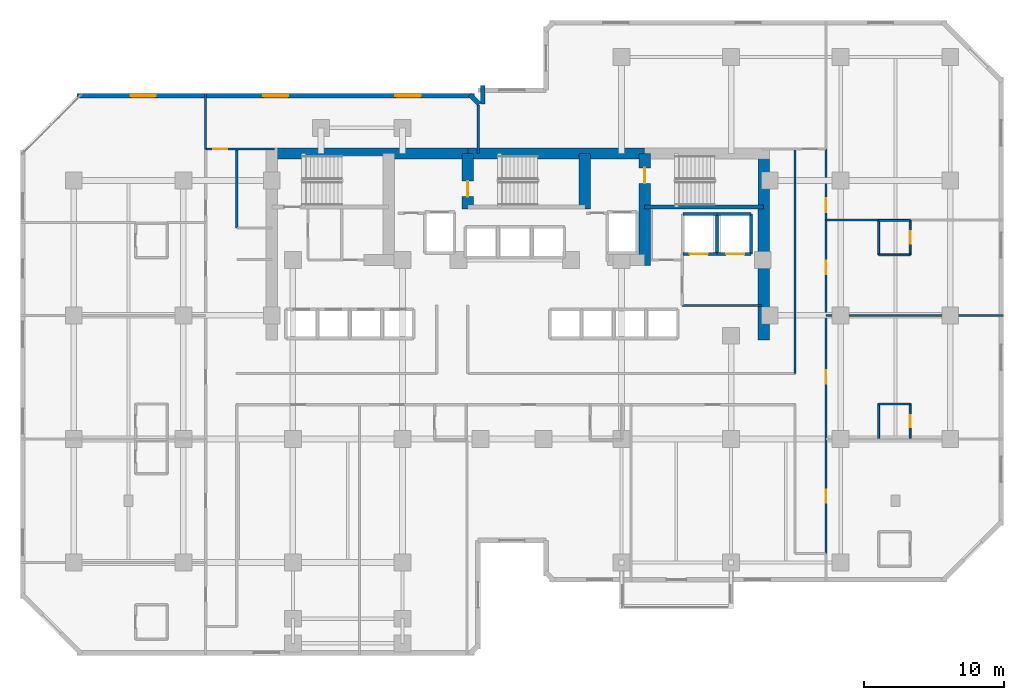
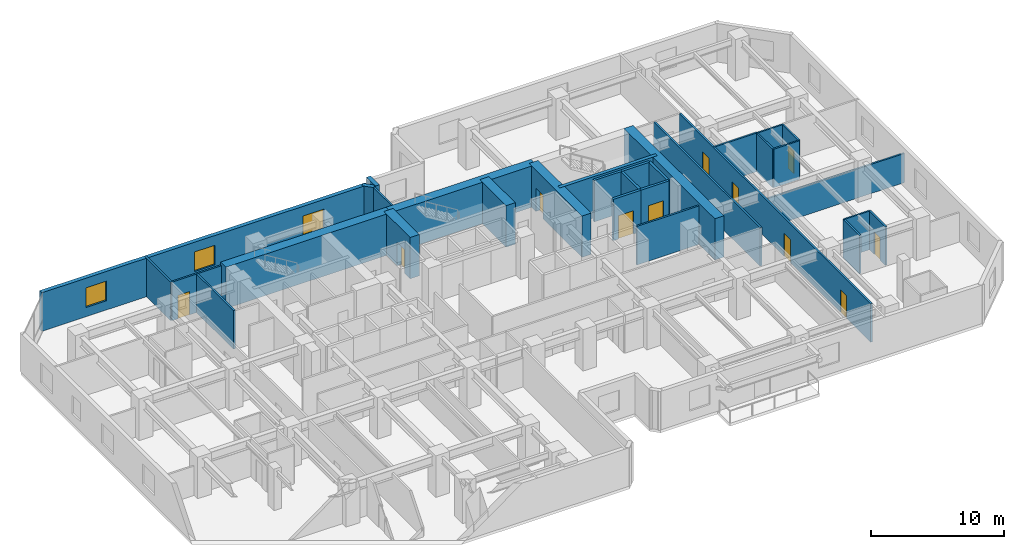
# One storey, part 8 of 11: 32 walls, 11 doors, 3 windows, 14 openings.
"""IFC4 building model written with IfcOpenShell, lengths in metres."""

from ifc_helpers import new_model, si_unit, direction, frame, frame_2d, origin, place, context, subcontext, project, spatial, rectangle, extrude, material, layer, layer_set, type_object, element, fill, save


model = new_model("IFC4")

# Units and contexts
model_context = context("Model", 3, precision=1e-05, world=origin(), true_north=direction((0.0, 1.0)))
body_context = subcontext(model_context, "Body", "Model", "MODEL_VIEW")
ifc_project = project(units=[si_unit("LENGTHUNIT", "METRE"), si_unit("AREAUNIT", "SQUARE_METRE"), si_unit("VOLUMEUNIT", "CUBIC_METRE"), si_unit("PLANEANGLEUNIT", "RADIAN"), si_unit("MASSUNIT", "GRAM", prefix="KILO")], contexts=[model_context])

# Site, building, storey
site_placement = place(None, origin())
site = spatial("IfcSite", under=ifc_project, at=site_placement, CompositionType="ELEMENT")
building_placement = place(site_placement, origin())
building = spatial("IfcBuilding", under=site, at=building_placement, Name="Kestravale Grand Hotel", CompositionType="ELEMENT")
storey_placement = place(building_placement, frame((0.0, 0.0, 114.60009765625)))
storey = spatial("IfcBuildingStorey", under=building, at=storey_placement, Name="L28", CompositionType="ELEMENT", Elevation=114.60009765625)

# Walls
ifc_material_1 = material(Name="Concrete f'c 60 MPa", Category="concrete")
ifc_layer_1 = layer(ifc_material_1, 0.800048828125)
ifc_layer_set_1 = layer_set([ifc_layer_1], Name="EW-CORE-800")
wall_type_1 = type_object("IfcWallType", Name="EW-CORE-800", PredefinedType="SHEAR", material=ifc_layer_set_1)
wall_1_placement = place(storey_placement, frame((21.5, 40.320068359375, 0.0), z_axis=(0.0, 0.0, 1.0), x_axis=(1.0, 0.0, 0.0)))
element("IfcWall", 1, at=wall_1_placement, inside=storey, type_object=wall_type_1, Name="L28 core shear wall N1", PredefinedType="SHEAR", context=body_context, shape_type="SweptSolid", body=[
    extrude(rectangle(XDim=14.35009765625, YDim=0.800048828125, at=frame_2d((7.175048828125, 0.0))), origin(), (0.0, 0.0, 1.0), 3.7998046875),
])
wall_2_placement = place(storey_placement, frame((35.85009765625, 40.320068359375, 0.0), z_axis=(0.0, 0.0, 1.0), x_axis=(1.0, 0.0, 0.0)))
element("IfcWall", 2, at=wall_2_placement, inside=storey, type_object=wall_type_1, Name="L28 core shear wall N2", PredefinedType="SHEAR", context=body_context, shape_type="SweptSolid", body=[
    extrude(rectangle(XDim=12.599853515625, YDim=0.800048828125, at=frame_2d((6.2998046875, 0.0))), origin(), (0.0, 0.0, 1.0), 3.7998046875),
])
wall_3_placement = place(storey_placement, frame((56.919921875, 27.050048828125, 0.0), z_axis=(0.0, 0.0, 1.0), x_axis=(0.0, 1.0, 0.0)))
element("IfcWall", 3, at=wall_3_placement, inside=storey, type_object=wall_type_1, Name="L28 core shear wall E1", PredefinedType="SHEAR", context=body_context, shape_type="SweptSolid", body=[
    extrude(rectangle(XDim=13.669921875, YDim=0.800048828125, at=frame_2d((6.8349609375, 0.0))), origin(), (0.0, 0.0, 1.0), 3.7998046875),
])

# Wall, opening, door
wall_4_placement = place(storey_placement, frame((35.85009765625, 36.3701171875, 0.0), z_axis=(0.0, 0.0, 1.0), x_axis=(0.0, 1.0, 0.0)))
wall_4 = element("IfcWall", 4, at=wall_4_placement, inside=storey, type_object=wall_type_1, Name="L28 core shear wall X2", PredefinedType="SHEAR", context=body_context, shape_type="SweptSolid", body=[
    extrude(rectangle(XDim=3.949951171875, YDim=0.800048828125, at=frame_2d((1.97509765625, 0.0))), origin(), (0.0, 0.0, 1.0), 3.7998046875),
])
opening_1_placement = place(wall_4_placement, frame((0.8798828125, 0.0, 0.0)))
opening_1 = element("IfcOpeningElement", 5, at=opening_1_placement, cuts=wall_4, Name="Opening D-ST-1100", PredefinedType="OPENING", context=body_context, shape_type="SweptSolid", body=[
    extrude(rectangle(XDim=1.10009765625, YDim=2.14990234375, at=frame_2d((0.550048828125, 1.074951171875))), frame((0.0, 0.409912109375, 0.0), z_axis=(0.0, -1.0, 0.0), x_axis=(1.0, 0.0, 0.0)), (0.0, 0.0, 1.0), 0.820068359375),
])
ifc_material_2 = material(Name="Galvanised 90-minute fire-rated steel stair door", Category="steel")
door_type_1 = type_object("IfcDoorType", Name="D-ST-1100", OperationType="NOTDEFINED", PredefinedType="DOOR", material=ifc_material_2)
door_1_placement = place(opening_1_placement, origin())
door_1 = element("IfcDoor", 6, at=door_1_placement, inside=storey, type_object=door_type_1, Name="L28 Stair ST-2 FSAE fire door", OperationType="SINGLE_SWING_RIGHT", OverallHeight=2.14990234375, OverallWidth=1.10009765625, PredefinedType="DOOR", context=body_context, shape_type="SweptSolid", body=[
    extrude(rectangle(XDim=1.10009765625, YDim=2.14990234375, at=frame_2d((0.550048828125, 1.074951171875))), frame((0.0, 0.02490234375, 0.0), z_axis=(0.0, -1.0, 0.0), x_axis=(1.0, 0.0, 0.0)), (0.0, 0.0, 1.0), 0.050048828125),
])
fill(opening_1, door_1)

# Wall
wall_5_placement = place(storey_placement, frame((44.179931640625, 36.3701171875, 0.0), z_axis=(0.0, 0.0, 1.0), x_axis=(0.0, 1.0, 0.0)))
element("IfcWall", 7, at=wall_5_placement, inside=storey, type_object=wall_type_1, Name="L28 core shear wall X3", PredefinedType="SHEAR", context=body_context, shape_type="SweptSolid", body=[
    extrude(rectangle(XDim=3.949951171875, YDim=0.800048828125, at=frame_2d((1.97509765625, 0.0))), origin(), (0.0, 0.0, 1.0), 3.7998046875),
])

# Wall, opening, door
wall_6_placement = place(storey_placement, frame((48.449951171875, 32.35009765625, 0.0), z_axis=(0.0, 0.0, 1.0), x_axis=(0.0, 1.0, 0.0)))
wall_6 = element("IfcWall", 8, at=wall_6_placement, inside=storey, type_object=wall_type_1, Name="L28 core shear wall X4", PredefinedType="SHEAR", context=body_context, shape_type="SweptSolid", body=[
    extrude(rectangle(XDim=7.969970703125, YDim=0.800048828125, at=frame_2d((3.98486328125, 0.0))), origin(), (0.0, 0.0, 1.0), 3.7998046875),
])
opening_2_placement = place(wall_6_placement, frame((5.85009765625, 0.0, 0.0)))
opening_2 = element("IfcOpeningElement", 9, at=opening_2_placement, cuts=wall_6, Name="Opening D-ST-1100", PredefinedType="OPENING", context=body_context, shape_type="SweptSolid", body=[
    extrude(rectangle(XDim=1.10009765625, YDim=2.14990234375, at=frame_2d((0.550048828125, 1.074951171875))), frame((0.0, 0.409912109375, 0.0), z_axis=(0.0, -1.0, 0.0), x_axis=(1.0, 0.0, 0.0)), (0.0, 0.0, 1.0), 0.820068359375),
])
door_2_placement = place(opening_2_placement, origin())
door_2 = element("IfcDoor", 10, at=door_2_placement, inside=storey, type_object=door_type_1, Name="L28 Stair ST-3 FSAE fire door", OperationType="SINGLE_SWING_RIGHT", OverallHeight=2.14990234375, OverallWidth=1.10009765625, PredefinedType="DOOR", context=body_context, shape_type="SweptSolid", body=[
    extrude(rectangle(XDim=1.10009765625, YDim=2.14990234375, at=frame_2d((0.550048828125, 1.074951171875))), frame((0.0, 0.02490234375, 0.0), z_axis=(0.0, -1.0, 0.0), x_axis=(1.0, 0.0, 0.0)), (0.0, 0.0, 1.0), 0.050048828125),
])
fill(opening_2, door_2)

# Walls
ifc_material_3 = material(Name="Precast concrete f'c 45 MPa", Category="concrete")
ifc_layer_2 = layer(ifc_material_3, 0.340087890625)
ifc_layer_set_2 = layer_set([ifc_layer_2], Name="EW-PREC-340")
wall_type_2 = type_object("IfcWallType", Name="EW-PREC-340", PredefinedType="SOLIDWALL", material=ifc_layer_set_2)
wall_7_placement = place(storey_placement, frame((36.919921875, 45.169921875, 0.0), z_axis=(0.0, 0.0, 1.0), x_axis=(0.0, -1.0, 0.0)))
element("IfcWall", 11, at=wall_7_placement, inside=storey, type_object=wall_type_2, Name="L28 fluted precast facade wall 15", PredefinedType="SOLIDWALL", context=body_context, shape_type="SweptSolid", body=[
    extrude(rectangle(XDim=1.33984375, YDim=0.340087890625, at=frame_2d((0.669921875, 0.0))), origin(), (0.0, 0.0, 1.0), 3.539794921875),
])
wall_8_placement = place(storey_placement, frame((36.658203125, 43.8515625, 0.0), z_axis=(0.0, 0.0, 1.0), x_axis=(-0.707238225886, 0.706975312048, 0.0)))
element("IfcWall", 12, at=wall_8_placement, inside=storey, type_object=wall_type_2, Name="L28 fluted precast facade wall 16", PredefinedType="SOLIDWALL", context=body_context, shape_type="SweptSolid", body=[
    extrude(rectangle(XDim=0.9287109375, YDim=0.340087890625, at=frame_2d((0.46435546875, 0.0))), origin(), (0.0, 0.0, 1.0), 3.539794921875),
])

# Wall, openings, windows
wall_9_placement = place(storey_placement, frame((36.320068359375, 44.429931640625, 0.0), z_axis=(0.0, 0.0, 1.0), x_axis=(-1.0, 0.0, 0.0)))
wall_9 = element("IfcWall", 13, at=wall_9_placement, inside=storey, type_object=wall_type_2, Name="L28 fluted precast facade wall 17", PredefinedType="SOLIDWALL", context=body_context, shape_type="SweptSolid", body=[
    extrude(rectangle(XDim=28.2900390625, YDim=0.340087890625, at=frame_2d((14.14501953125, 0.0))), origin(), (0.0, 0.0, 1.0), 3.539794921875),
])
opening_3_placement = place(wall_9_placement, frame((3.81494140625, 0.0, 0.85009765625)))
opening_3 = element("IfcOpeningElement", 14, at=opening_3_placement, cuts=wall_9, Name="Opening W-GUEST-1800", PredefinedType="OPENING", context=body_context, shape_type="SweptSolid", body=[
    extrude(rectangle(XDim=1.800048828125, YDim=1.800048828125, at=frame_2d((0.89990234375, 0.89990234375))), frame((0.0, 0.179931640625, 0.0), z_axis=(0.0, -1.0, 0.0), x_axis=(1.0, 0.0, 0.0)), (0.0, 0.0, 1.0), 0.360107421875),
])
opening_4_placement = place(wall_9_placement, frame((13.2451171875, 0.0, 0.85009765625)))
opening_4 = element("IfcOpeningElement", 15, at=opening_4_placement, cuts=wall_9, Name="Opening W-GUEST-1800", PredefinedType="OPENING", context=body_context, shape_type="SweptSolid", body=[
    extrude(rectangle(XDim=1.800048828125, YDim=1.800048828125, at=frame_2d((0.89990234375, 0.89990234375))), frame((0.0, 0.179931640625, 0.0), z_axis=(0.0, -1.0, 0.0), x_axis=(1.0, 0.0, 0.0)), (0.0, 0.0, 1.0), 0.360107421875),
])
opening_5_placement = place(wall_9_placement, frame((22.675048828125, 0.0, 0.85009765625)))
opening_5 = element("IfcOpeningElement", 16, at=opening_5_placement, cuts=wall_9, Name="Opening W-GUEST-1800", PredefinedType="OPENING", context=body_context, shape_type="SweptSolid", body=[
    extrude(rectangle(XDim=1.800048828125, YDim=1.800048828125, at=frame_2d((0.89990234375, 0.89990234375))), frame((0.0, 0.179931640625, 0.0), z_axis=(0.0, -1.0, 0.0), x_axis=(1.0, 0.0, 0.0)), (0.0, 0.0, 1.0), 0.360107421875),
])
ifc_material_4 = material(Name="Insulated low-E double glazing in aluminium frame", Category="aluminium")
window_type = type_object("IfcWindowType", Name="W-GUEST-1800", PartitioningType="DOUBLE_PANEL_VERTICAL", PredefinedType="WINDOW", material=ifc_material_4)
window_1_placement = place(opening_3_placement, origin())
window_1 = element("IfcWindow", 17, at=window_1_placement, inside=storey, type_object=window_type, Name="L28 exterior window 17.1", OverallHeight=1.800048828125, OverallWidth=1.800048828125, PartitioningType="SINGLE_PANEL", PredefinedType="WINDOW", context=body_context, shape_type="SweptSolid", body=[
    extrude(rectangle(XDim=1.800048828125, YDim=1.800048828125, at=frame_2d((0.89990234375, 0.89990234375))), frame((0.0, 0.030029296875, 0.0), z_axis=(0.0, -1.0, 0.0), x_axis=(1.0, 0.0, 0.0)), (0.0, 0.0, 1.0), 0.06005859375),
])
fill(opening_3, window_1)
window_2_placement = place(opening_4_placement, origin())
window_2 = element("IfcWindow", 18, at=window_2_placement, inside=storey, type_object=window_type, Name="L28 exterior window 17.2", OverallHeight=1.800048828125, OverallWidth=1.800048828125, PartitioningType="SINGLE_PANEL", PredefinedType="WINDOW", context=body_context, shape_type="SweptSolid", body=[
    extrude(rectangle(XDim=1.800048828125, YDim=1.800048828125, at=frame_2d((0.89990234375, 0.89990234375))), frame((0.0, 0.030029296875, 0.0), z_axis=(0.0, -1.0, 0.0), x_axis=(1.0, 0.0, 0.0)), (0.0, 0.0, 1.0), 0.06005859375),
])
fill(opening_4, window_2)
window_3_placement = place(opening_5_placement, origin())
window_3 = element("IfcWindow", 19, at=window_3_placement, inside=storey, type_object=window_type, Name="L28 exterior window 17.3", OverallHeight=1.800048828125, OverallWidth=1.800048828125, PartitioningType="SINGLE_PANEL", PredefinedType="WINDOW", context=body_context, shape_type="SweptSolid", body=[
    extrude(rectangle(XDim=1.800048828125, YDim=1.800048828125, at=frame_2d((0.89990234375, 0.89990234375))), frame((0.0, 0.030029296875, 0.0), z_axis=(0.0, -1.0, 0.0), x_axis=(1.0, 0.0, 0.0)), (0.0, 0.0, 1.0), 0.06005859375),
])
fill(opening_5, window_3)

# Walls
ifc_material_5 = material(Name="Concrete f'c 45 MPa", Category="concrete")
ifc_layer_3 = layer(ifc_material_5, 0.300048828125)
ifc_layer_set_3 = layer_set([ifc_layer_3], Name="EW-STAIR-300")
wall_type_3 = type_object("IfcWallType", Name="EW-STAIR-300", PredefinedType="SHEAR", material=ifc_layer_set_3)
wall_10_placement = place(storey_placement, frame((48.449951171875, 36.52001953125, 0.0), z_axis=(0.0, 0.0, 1.0), x_axis=(1.0, 0.0, 0.0)))
element("IfcWall", 20, at=wall_10_placement, inside=storey, type_object=wall_type_3, Name="L28 stair enclosure shear wall SST3", PredefinedType="SHEAR", context=body_context, shape_type="SweptSolid", body=[
    extrude(rectangle(XDim=8.469970703125, YDim=0.300048828125, at=frame_2d((4.23486328125, 0.0))), origin(), (0.0, 0.0, 1.0), 3.7998046875),
])
ifc_material_6 = material(Name="Acoustic fire-rated gypsum board partition", Category="other")
ifc_layer_4 = layer(ifc_material_6, 0.159912109375)
ifc_layer_set_4 = layer_set([ifc_layer_4], Name="IW-CORR-160")
wall_type_4 = type_object("IfcWallType", Name="IW-CORR-160", PredefinedType="PARTITIONING", material=ifc_layer_set_4)
for number, where, z_axis, x_axis, name in (
    (21, (51.1201171875, 29.5, 0.0), (0.0, 0.0, 1.0), (1.0, 0.0, 0.0), "L28 service lift lobby wall"),
    (22, (19.409912109375, 35.02001953125, 0.0), (0.0, 0.0, 1.0), (0.0, 1.0, 0.0), "W-L28-SW-EN"),
):
    element("IfcWall", number, at=place(storey_placement, frame(where, z_axis=z_axis, x_axis=x_axis)), inside=storey, type_object=wall_type_4, Name=name, PredefinedType="PARTITIONING", context=body_context, shape_type="SweptSolid", body=[
        extrude(rectangle(XDim=5.6298828125, YDim=0.159912109375, at=frame_2d((2.81494140625, 0.0))), origin(), (0.0, 0.0, 1.0), 3.539794921875),
    ])

# Wall, openings, doors
wall_11_placement = place(storey_placement, frame((61.360107421875, 11.85009765625, 0.0), z_axis=(0.0, 0.0, 1.0), x_axis=(0.0, 1.0, 0.0)))
wall_11 = element("IfcWall", 23, at=wall_11_placement, inside=storey, type_object=wall_type_4, Name="W-L28-SE-E", PredefinedType="PARTITIONING", context=body_context, shape_type="SweptSolid", body=[
    extrude(rectangle(XDim=28.7998046875, YDim=0.159912109375, at=frame_2d((14.39990234375, 0.0))), origin(), (0.0, 0.0, 1.0), 3.539794921875),
])
opening_6_placement = place(wall_11_placement, frame((3.60009765625, 0.0, 0.0)))
opening_6 = element("IfcOpeningElement", 24, at=opening_6_placement, cuts=wall_11, Name="Opening D-GUEST-950", PredefinedType="OPENING", context=body_context, shape_type="SweptSolid", body=[
    extrude(rectangle(XDim=0.949951171875, YDim=2.10009765625, at=frame_2d((0.47509765625, 1.050048828125))), frame((0.0, 0.08984375, 0.0), z_axis=(0.0, -1.0, 0.0), x_axis=(1.0, 0.0, 0.0)), (0.0, 0.0, 1.0), 0.179931640625),
])
opening_7_placement = place(wall_11_placement, frame((12.074951171875, 0.0, 0.0)))
opening_7 = element("IfcOpeningElement", 25, at=opening_7_placement, cuts=wall_11, Name="Opening D-GUEST-950", PredefinedType="OPENING", context=body_context, shape_type="SweptSolid", body=[
    extrude(rectangle(XDim=0.949951171875, YDim=2.10009765625, at=frame_2d((0.47509765625, 1.050048828125))), frame((0.0, 0.08984375, 0.0), z_axis=(0.0, -1.0, 0.0), x_axis=(1.0, 0.0, 0.0)), (0.0, 0.0, 1.0), 0.179931640625),
])
opening_8_placement = place(wall_11_placement, frame((19.875, 0.0, 0.0)))
opening_8 = element("IfcOpeningElement", 26, at=opening_8_placement, cuts=wall_11, Name="Opening D-GUEST-950", PredefinedType="OPENING", context=body_context, shape_type="SweptSolid", body=[
    extrude(rectangle(XDim=0.949951171875, YDim=2.10009765625, at=frame_2d((0.47509765625, 1.050048828125))), frame((0.0, 0.08984375, 0.0), z_axis=(0.0, -1.0, 0.0), x_axis=(1.0, 0.0, 0.0)), (0.0, 0.0, 1.0), 0.179931640625),
])
opening_9_placement = place(wall_11_placement, frame((24.300048828125, 0.0, 0.0)))
opening_9 = element("IfcOpeningElement", 27, at=opening_9_placement, cuts=wall_11, Name="Opening D-GUEST-1000", PredefinedType="OPENING", context=body_context, shape_type="SweptSolid", body=[
    extrude(rectangle(XDim=1.0, YDim=2.14990234375, at=frame_2d((0.5, 1.074951171875))), frame((0.0, 0.08984375, 0.0), z_axis=(0.0, -1.0, 0.0), x_axis=(1.0, 0.0, 0.0)), (0.0, 0.0, 1.0), 0.179931640625),
])
ifc_material_7 = material(Name="Accessible walnut veneer hotel entrance fire door", Category="wood")
door_type_2 = type_object("IfcDoorType", Name="D-GUEST-1000", OperationType="NOTDEFINED", PredefinedType="DOOR", material=ifc_material_7)
door_3_placement = place(opening_9_placement, origin())
door_3 = element("IfcDoor", 28, at=door_3_placement, inside=storey, type_object=door_type_2, Name="D-L28-AMEW", OperationType="SINGLE_SWING_RIGHT", OverallHeight=2.14990234375, OverallWidth=1.0, PredefinedType="DOOR", context=body_context, shape_type="SweptSolid", body=[
    extrude(rectangle(XDim=1.0, YDim=2.14990234375, at=frame_2d((0.5, 1.074951171875))), frame((0.0, 0.02490234375, 0.0), z_axis=(0.0, -1.0, 0.0), x_axis=(1.0, 0.0, 0.0)), (0.0, 0.0, 1.0), 0.050048828125),
])
fill(opening_9, door_3)
ifc_material_8 = material(Name="Walnut veneer hotel guestroom entrance fire door", Category="wood")
door_type_3 = type_object("IfcDoorType", Name="D-GUEST-950", OperationType="NOTDEFINED", PredefinedType="DOOR", material=ifc_material_8)
door_4_placement = place(opening_6_placement, origin())
door_4 = element("IfcDoor", 29, at=door_4_placement, inside=storey, type_object=door_type_3, Name="D-L28-U07-ENT", OperationType="SINGLE_SWING_LEFT", OverallHeight=2.10009765625, OverallWidth=0.949951171875, PredefinedType="DOOR", context=body_context, shape_type="SweptSolid", body=[
    extrude(rectangle(XDim=0.949951171875, YDim=2.10009765625, at=frame_2d((0.47509765625, 1.050048828125))), frame((0.0, 0.02490234375, 0.0), z_axis=(0.0, -1.0, 0.0), x_axis=(1.0, 0.0, 0.0)), (0.0, 0.0, 1.0), 0.050048828125),
])
fill(opening_6, door_4)
door_5_placement = place(opening_7_placement, origin())
door_5 = element("IfcDoor", 30, at=door_5_placement, inside=storey, type_object=door_type_3, Name="D-L28-U08-ENT", OperationType="SINGLE_SWING_LEFT", OverallHeight=2.10009765625, OverallWidth=0.949951171875, PredefinedType="DOOR", context=body_context, shape_type="SweptSolid", body=[
    extrude(rectangle(XDim=0.949951171875, YDim=2.10009765625, at=frame_2d((0.47509765625, 1.050048828125))), frame((0.0, 0.02490234375, 0.0), z_axis=(0.0, -1.0, 0.0), x_axis=(1.0, 0.0, 0.0)), (0.0, 0.0, 1.0), 0.050048828125),
])
fill(opening_7, door_5)
door_6_placement = place(opening_8_placement, origin())
door_6 = element("IfcDoor", 31, at=door_6_placement, inside=storey, type_object=door_type_3, Name="D-L28-U09-ENT", OperationType="SINGLE_SWING_LEFT", OverallHeight=2.10009765625, OverallWidth=0.949951171875, PredefinedType="DOOR", context=body_context, shape_type="SweptSolid", body=[
    extrude(rectangle(XDim=0.949951171875, YDim=2.10009765625, at=frame_2d((0.47509765625, 1.050048828125))), frame((0.0, 0.02490234375, 0.0), z_axis=(0.0, -1.0, 0.0), x_axis=(1.0, 0.0, 0.0)), (0.0, 0.0, 1.0), 0.050048828125),
])
fill(opening_8, door_6)

# Walls
wall_12_placement = place(storey_placement, frame((59.139892578125, 24.659912109375, 0.0), z_axis=(0.0, 0.0, 1.0), x_axis=(0.0, 1.0, 0.0)))
element("IfcWall", 32, at=wall_12_placement, inside=storey, type_object=wall_type_4, Name="W-L28-SE-WU", PredefinedType="PARTITIONING", context=body_context, shape_type="SweptSolid", body=[
    extrude(rectangle(XDim=15.989990234375, YDim=0.159912109375, at=frame_2d((7.9951171875, 0.0))), origin(), (0.0, 0.0, 1.0), 3.539794921875),
])
ifc_material_9 = material(Name="Moisture-resistant tile-backer plumbing chase wall", Category="other")
ifc_layer_5 = layer(ifc_material_9, 0.139892578125)
ifc_layer_set_5 = layer_set([ifc_layer_5], Name="IW-PLB-140")
wall_type_5 = type_object("IfcWallType", Name="IW-PLB-140", PredefinedType="PLUMBINGWALL", material=ifc_layer_set_5)
wall_13_placement = place(storey_placement, frame((65.10009765625, 20.0400390625, 0.0), z_axis=(0.0, 0.0, 1.0), x_axis=(0.0, 1.0, 0.0)))
element("IfcWall", 33, at=wall_13_placement, inside=storey, type_object=wall_type_5, Name="W-L28-U08-BW", PredefinedType="PLUMBINGWALL", context=body_context, shape_type="SweptSolid", body=[
    extrude(rectangle(XDim=2.449951171875, YDim=0.139892578125, at=frame_2d((1.22509765625, 0.0))), origin(), (0.0, 0.0, 1.0), 3.539794921875),
])

# Wall, opening, door
wall_14_placement = place(storey_placement, frame((67.35009765625, 20.0400390625, 0.0), z_axis=(0.0, 0.0, 1.0), x_axis=(0.0, 1.0, 0.0)))
wall_14 = element("IfcWall", 34, at=wall_14_placement, inside=storey, type_object=wall_type_5, Name="W-L28-U08-BE", PredefinedType="PLUMBINGWALL", context=body_context, shape_type="SweptSolid", body=[
    extrude(rectangle(XDim=2.449951171875, YDim=0.139892578125, at=frame_2d((1.22509765625, 0.0))), origin(), (0.0, 0.0, 1.0), 3.539794921875),
])
opening_10_placement = place(wall_14_placement, frame((0.784912109375, 0.0, 0.0)))
opening_10 = element("IfcOpeningElement", 35, at=opening_10_placement, cuts=wall_14, Name="Opening D-BATH-880", PredefinedType="OPENING", context=body_context, shape_type="SweptSolid", body=[
    extrude(rectangle(XDim=0.8798828125, YDim=2.050048828125, at=frame_2d((0.43994140625, 1.02490234375))), frame((0.0, 0.079833984375, 0.0), z_axis=(0.0, -1.0, 0.0), x_axis=(1.0, 0.0, 0.0)), (0.0, 0.0, 1.0), 0.159912109375),
])
ifc_material_10 = material(Name="Moisture-sealed walnut en-suite bathroom door", Category="wood")
door_type_4 = type_object("IfcDoorType", Name="D-BATH-880", OperationType="NOTDEFINED", PredefinedType="DOOR", material=ifc_material_10)
door_7_placement = place(opening_10_placement, origin())
door_7 = element("IfcDoor", 36, at=door_7_placement, inside=storey, type_object=door_type_4, Name="D-L28-U08-BATH", OperationType="SINGLE_SWING_RIGHT", OverallHeight=2.050048828125, OverallWidth=0.8798828125, PredefinedType="DOOR", context=body_context, shape_type="SweptSolid", body=[
    extrude(rectangle(XDim=0.8798828125, YDim=2.050048828125, at=frame_2d((0.43994140625, 1.02490234375))), frame((0.0, 0.02490234375, 0.0), z_axis=(0.0, -1.0, 0.0), x_axis=(1.0, 0.0, 0.0)), (0.0, 0.0, 1.0), 0.050048828125),
])
fill(opening_10, door_7)

# Walls
wall_15_placement = place(storey_placement, frame((65.10009765625, 22.489990234375, 0.0), z_axis=(0.0, 0.0, 1.0), x_axis=(1.0, 0.0, 0.0)))
element("IfcWall", 37, at=wall_15_placement, inside=storey, type_object=wall_type_5, Name="W-L28-U08-BN", PredefinedType="PLUMBINGWALL", context=body_context, shape_type="SweptSolid", body=[
    extrude(rectangle(XDim=2.25, YDim=0.139892578125, at=frame_2d((1.125, 0.0))), origin(), (0.0, 0.0, 1.0), 3.539794921875),
])
wall_16_placement = place(storey_placement, frame((65.10009765625, 33.110107421875, 0.0), z_axis=(0.0, 0.0, 1.0), x_axis=(0.0, 1.0, 0.0)))
element("IfcWall", 38, at=wall_16_placement, inside=storey, type_object=wall_type_5, Name="W-L28-U09-BW", PredefinedType="PLUMBINGWALL", context=body_context, shape_type="SweptSolid", body=[
    extrude(rectangle(XDim=2.449951171875, YDim=0.139892578125, at=frame_2d((1.22509765625, 0.0))), origin(), (0.0, 0.0, 1.0), 3.539794921875),
])

# Wall, opening, door
wall_17_placement = place(storey_placement, frame((67.35009765625, 33.110107421875, 0.0), z_axis=(0.0, 0.0, 1.0), x_axis=(0.0, 1.0, 0.0)))
wall_17 = element("IfcWall", 39, at=wall_17_placement, inside=storey, type_object=wall_type_5, Name="W-L28-U09-BE", PredefinedType="PLUMBINGWALL", context=body_context, shape_type="SweptSolid", body=[
    extrude(rectangle(XDim=2.449951171875, YDim=0.139892578125, at=frame_2d((1.22509765625, 0.0))), origin(), (0.0, 0.0, 1.0), 3.539794921875),
])
opening_11_placement = place(wall_17_placement, frame((0.784912109375, 0.0, 0.0)))
opening_11 = element("IfcOpeningElement", 40, at=opening_11_placement, cuts=wall_17, Name="Opening D-BATH-880", PredefinedType="OPENING", context=body_context, shape_type="SweptSolid", body=[
    extrude(rectangle(XDim=0.8798828125, YDim=2.050048828125, at=frame_2d((0.43994140625, 1.02490234375))), frame((0.0, 0.079833984375, 0.0), z_axis=(0.0, -1.0, 0.0), x_axis=(1.0, 0.0, 0.0)), (0.0, 0.0, 1.0), 0.159912109375),
])
door_8_placement = place(opening_11_placement, origin())
door_8 = element("IfcDoor", 41, at=door_8_placement, inside=storey, type_object=door_type_4, Name="D-L28-U09-BATH", OperationType="SINGLE_SWING_RIGHT", OverallHeight=2.050048828125, OverallWidth=0.8798828125, PredefinedType="DOOR", context=body_context, shape_type="SweptSolid", body=[
    extrude(rectangle(XDim=0.8798828125, YDim=2.050048828125, at=frame_2d((0.43994140625, 1.02490234375))), frame((0.0, 0.02490234375, 0.0), z_axis=(0.0, -1.0, 0.0), x_axis=(1.0, 0.0, 0.0)), (0.0, 0.0, 1.0), 0.050048828125),
])
fill(opening_11, door_8)

# Walls
for number, where, z_axis, x_axis, name in (
    (42, (65.10009765625, 33.110107421875, 0.0), (0.0, 0.0, 1.0), (1.0, 0.0, 0.0), "W-L28-U09-BS"),
    (43, (65.10009765625, 35.56005859375, 0.0), (0.0, 0.0, 1.0), (1.0, 0.0, 0.0), "W-L28-U09-BN"),
):
    element("IfcWall", number, at=place(storey_placement, frame(where, z_axis=z_axis, x_axis=x_axis)), inside=storey, type_object=wall_type_5, Name=name, PredefinedType="PLUMBINGWALL", context=body_context, shape_type="SweptSolid", body=[
        extrude(rectangle(XDim=2.25, YDim=0.139892578125, at=frame_2d((1.125, 0.0))), origin(), (0.0, 0.0, 1.0), 3.539794921875),
    ])
ifc_material_11 = material(Name="Concrete f'c 45 MPa", Category="concrete")
ifc_layer_6 = layer(ifc_material_11, 0.199951171875)
ifc_layer_set_6 = layer_set([ifc_layer_6], Name="IW-SHAFT-200")
wall_type_6 = type_object("IfcWallType", Name="IW-SHAFT-200", PredefinedType="SHEAR", material=ifc_layer_set_6)
for number, where, z_axis, x_axis, name in (
    (44, (53.60009765625, 33.169921875, 0.0), (0.0, 0.0, 1.0), (0.0, 1.0, 0.0), "L28 SL-2 west shaft wall"),
    (45, (56.02001953125, 33.169921875, 0.0), (0.0, 0.0, 1.0), (0.0, 1.0, 0.0), "L28 SL-2 east shaft wall"),
):
    element("IfcWall", number, at=place(storey_placement, frame(where, z_axis=z_axis, x_axis=x_axis)), inside=storey, type_object=wall_type_6, Name=name, PredefinedType="SHEAR", context=body_context, shape_type="SweptSolid", body=[
        extrude(rectangle(XDim=2.860107421875, YDim=0.199951171875, at=frame_2d((1.43017578125, 0.0))), origin(), (0.0, 0.0, 1.0), 3.7998046875),
    ])
ifc_material_12 = material(Name="Concrete f'c 45 MPa", Category="concrete")
ifc_layer_7 = layer(ifc_material_12, 0.219970703125)
ifc_layer_set_7 = layer_set([ifc_layer_7], Name="IW-SHAFT-220")
wall_type_7 = type_object("IfcWallType", Name="IW-SHAFT-220", PredefinedType="SHEAR", material=ifc_layer_set_7)
wall_18_placement = place(storey_placement, frame((51.179931640625, 36.030029296875, 0.0), z_axis=(0.0, 0.0, 1.0), x_axis=(1.0, 0.0, 0.0)))
element("IfcWall", 46, at=wall_18_placement, inside=storey, type_object=wall_type_7, Name="L28 SL-1 north shaft wall", PredefinedType="SHEAR", context=body_context, shape_type="SweptSolid", body=[
    extrude(rectangle(XDim=2.420166015625, YDim=0.219970703125, at=frame_2d((1.2099609375, 0.0))), origin(), (0.0, 0.0, 1.0), 3.7998046875),
])

# Wall, opening, door
wall_19_placement = place(storey_placement, frame((51.179931640625, 33.169921875, 0.0), z_axis=(0.0, 0.0, 1.0), x_axis=(1.0, 0.0, 0.0)))
wall_19 = element("IfcWall", 47, at=wall_19_placement, inside=storey, type_object=wall_type_7, Name="L28 SL-1 south shaft wall", PredefinedType="SHEAR", context=body_context, shape_type="SweptSolid", body=[
    extrude(rectangle(XDim=2.420166015625, YDim=0.219970703125, at=frame_2d((1.2099609375, 0.0))), origin(), (0.0, 0.0, 1.0), 3.7998046875),
])
opening_12_placement = place(wall_19_placement, frame((0.469970703125, 0.0, 0.0)))
opening_12 = element("IfcOpeningElement", 48, at=opening_12_placement, cuts=wall_19, Name="Opening LD-SVC-1300", PredefinedType="OPENING", context=body_context, shape_type="SweptSolid", body=[
    extrude(rectangle(XDim=1.300048828125, YDim=2.14990234375, at=frame_2d((0.64990234375, 1.074951171875))), frame((0.0, 0.119873046875, 0.0), z_axis=(0.0, -1.0, 0.0), x_axis=(1.0, 0.0, 0.0)), (0.0, 0.0, 1.0), 0.239990234375),
])
ifc_material_13 = material(Name="Heavy-duty service sliding elevator landing door", Category="steel")
door_type_5 = type_object("IfcDoorType", Name="LD-SVC-1300", OperationType="NOTDEFINED", PredefinedType="DOOR", material=ifc_material_13)
door_9_placement = place(opening_12_placement, origin())
door_9 = element("IfcDoor", 49, at=door_9_placement, inside=storey, type_object=door_type_5, Name="L28 SL-1 elevator landing sliding door", OperationType="DOUBLE_DOOR_SLIDING", OverallHeight=2.14990234375, OverallWidth=1.300048828125, PredefinedType="DOOR", context=body_context, shape_type="SweptSolid", body=[
    extrude(rectangle(XDim=1.300048828125, YDim=2.14990234375, at=frame_2d((0.64990234375, 1.074951171875))), frame((0.0, 0.02490234375, 0.0), z_axis=(0.0, -1.0, 0.0), x_axis=(1.0, 0.0, 0.0)), (0.0, 0.0, 1.0), 0.050048828125),
])
fill(opening_12, door_9)

# Wall
wall_20_placement = place(storey_placement, frame((53.60009765625, 36.030029296875, 0.0), z_axis=(0.0, 0.0, 1.0), x_axis=(1.0, 0.0, 0.0)))
element("IfcWall", 50, at=wall_20_placement, inside=storey, type_object=wall_type_7, Name="L28 SL-2 north shaft wall", PredefinedType="SHEAR", context=body_context, shape_type="SweptSolid", body=[
    extrude(rectangle(XDim=2.419921875, YDim=0.219970703125, at=frame_2d((1.2099609375, 0.0))), origin(), (0.0, 0.0, 1.0), 3.7998046875),
])

# Wall, opening, door
wall_21_placement = place(storey_placement, frame((53.60009765625, 33.169921875, 0.0), z_axis=(0.0, 0.0, 1.0), x_axis=(1.0, 0.0, 0.0)))
wall_21 = element("IfcWall", 51, at=wall_21_placement, inside=storey, type_object=wall_type_7, Name="L28 SL-2 south shaft wall", PredefinedType="SHEAR", context=body_context, shape_type="SweptSolid", body=[
    extrude(rectangle(XDim=2.419921875, YDim=0.219970703125, at=frame_2d((1.2099609375, 0.0))), origin(), (0.0, 0.0, 1.0), 3.7998046875),
])
opening_13_placement = place(wall_21_placement, frame((0.64990234375, 0.0, 0.0)))
opening_13 = element("IfcOpeningElement", 52, at=opening_13_placement, cuts=wall_21, Name="Opening LD-SVC-1300", PredefinedType="OPENING", context=body_context, shape_type="SweptSolid", body=[
    extrude(rectangle(XDim=1.300048828125, YDim=2.14990234375, at=frame_2d((0.64990234375, 1.074951171875))), frame((0.0, 0.119873046875, 0.0), z_axis=(0.0, -1.0, 0.0), x_axis=(1.0, 0.0, 0.0)), (0.0, 0.0, 1.0), 0.239990234375),
])
door_10_placement = place(opening_13_placement, origin())
door_10 = element("IfcDoor", 53, at=door_10_placement, inside=storey, type_object=door_type_5, Name="L28 SL-2 elevator landing sliding door", OperationType="DOUBLE_DOOR_SLIDING", OverallHeight=2.14990234375, OverallWidth=1.300048828125, PredefinedType="DOOR", context=body_context, shape_type="SweptSolid", body=[
    extrude(rectangle(XDim=1.300048828125, YDim=2.14990234375, at=frame_2d((0.64990234375, 1.074951171875))), frame((0.0, 0.02490234375, 0.0), z_axis=(0.0, -1.0, 0.0), x_axis=(1.0, 0.0, 0.0)), (0.0, 0.0, 1.0), 0.050048828125),
])
fill(opening_13, door_10)

ifc_material_14 = material(Name="Double-stud STC 52 acoustic demising partition", Category="other")
ifc_layer_8 = layer(ifc_material_14, 0.14990234375)
ifc_layer_set_8 = layer_set([ifc_layer_8], Name="IW-UNIT-150")
wall_type_8 = type_object("IfcWallType", Name="IW-UNIT-150", PredefinedType="PARTITIONING", material=ifc_layer_set_8)
wall_22_placement = place(storey_placement, frame((17.18994140625, 40.64990234375, 0.0), z_axis=(0.0, 0.0, 1.0), x_axis=(1.0, 0.0, 0.0)))
wall_22 = element("IfcWall", 54, at=wall_22_placement, inside=storey, type_object=wall_type_8, Name="W-L28-SW-N", PredefinedType="PARTITIONING", context=body_context, shape_type="SweptSolid", body=[
    extrude(rectangle(XDim=4.91015625, YDim=0.14990234375, at=frame_2d((2.455078125, 0.0))), origin(), (0.0, 0.0, 1.0), 3.539794921875),
])
opening_14_placement = place(wall_22_placement, frame((0.550048828125, 0.0, 0.0)))
opening_14 = element("IfcOpeningElement", 55, at=opening_14_placement, cuts=wall_22, Name="Opening D-GUEST-1000", PredefinedType="OPENING", context=body_context, shape_type="SweptSolid", body=[
    extrude(rectangle(XDim=1.0, YDim=2.14990234375, at=frame_2d((0.5, 1.074951171875))), frame((0.0, 0.0849609375, 0.0), z_axis=(0.0, -1.0, 0.0), x_axis=(1.0, 0.0, 0.0)), (0.0, 0.0, 1.0), 0.169921875),
])
door_11_placement = place(opening_14_placement, origin())
door_11 = element("IfcDoor", 56, at=door_11_placement, inside=storey, type_object=door_type_2, Name="L28 NW Gallery Door", OperationType="SINGLE_SWING_RIGHT", OverallHeight=2.14990234375, OverallWidth=1.0, PredefinedType="DOOR", context=body_context, shape_type="SweptSolid", body=[
    extrude(rectangle(XDim=1.0, YDim=2.14990234375, at=frame_2d((0.5, 1.074951171875))), frame((0.0, 0.02490234375, 0.0), z_axis=(0.0, -1.0, 0.0), x_axis=(1.0, 0.0, 0.0)), (0.0, 0.0, 1.0), 0.050048828125),
])
fill(opening_14, door_11)

# Walls
wall_23_placement = place(storey_placement, frame((17.18994140625, 40.64990234375, 0.0), z_axis=(0.0, 0.0, 1.0), x_axis=(0.0, 1.0, 0.0)))
element("IfcWall", 57, at=wall_23_placement, inside=storey, type_object=wall_type_8, Name="W-L28-NGW-W", PredefinedType="PARTITIONING", context=body_context, shape_type="SweptSolid", body=[
    extrude(rectangle(XDim=3.93017578125, YDim=0.14990234375, at=frame_2d((1.965087890625, 0.0))), origin(), (0.0, 0.0, 1.0), 3.539794921875),
])
wall_24_placement = place(storey_placement, frame((36.60009765625, 40.320068359375, 0.0), z_axis=(0.0, 0.0, 1.0), x_axis=(0.0, 1.0, 0.0)))
element("IfcWall", 58, at=wall_24_placement, inside=storey, type_object=wall_type_8, Name="W-L28-NGM", PredefinedType="PARTITIONING", context=body_context, shape_type="SweptSolid", body=[
    extrude(rectangle(XDim=3.445068359375, YDim=0.14990234375, at=frame_2d((1.72265625, 0.0))), origin(), (0.0, 0.0, 1.0), 3.539794921875),
])
wall_25_placement = place(storey_placement, frame((61.360107421875, 28.800048828125, 0.0), z_axis=(0.0, 0.0, 1.0), x_axis=(1.0, 0.0, 0.0)))
element("IfcWall", 59, at=wall_25_placement, inside=storey, type_object=wall_type_8, Name="W-L28-EW-2", PredefinedType="PARTITIONING", context=body_context, shape_type="SweptSolid", body=[
    extrude(rectangle(XDim=12.619873046875, YDim=0.14990234375, at=frame_2d((6.31005859375, 0.0))), origin(), (0.0, 0.0, 1.0), 2.678955078125),
])
wall_26_placement = place(storey_placement, frame((61.360107421875, 35.60009765625, 0.0), z_axis=(0.0, 0.0, 1.0), x_axis=(1.0, 0.0, 0.0)))
element("IfcWall", 60, at=wall_26_placement, inside=storey, type_object=wall_type_8, Name="W-L28-EW-3", PredefinedType="PARTITIONING", context=body_context, shape_type="SweptSolid", body=[
    extrude(rectangle(XDim=3.739990234375, YDim=0.14990234375, at=frame_2d((1.8701171875, 0.0))), origin(), (0.0, 0.0, 1.0), 3.539794921875),
])

save(model, "model.ifc")
